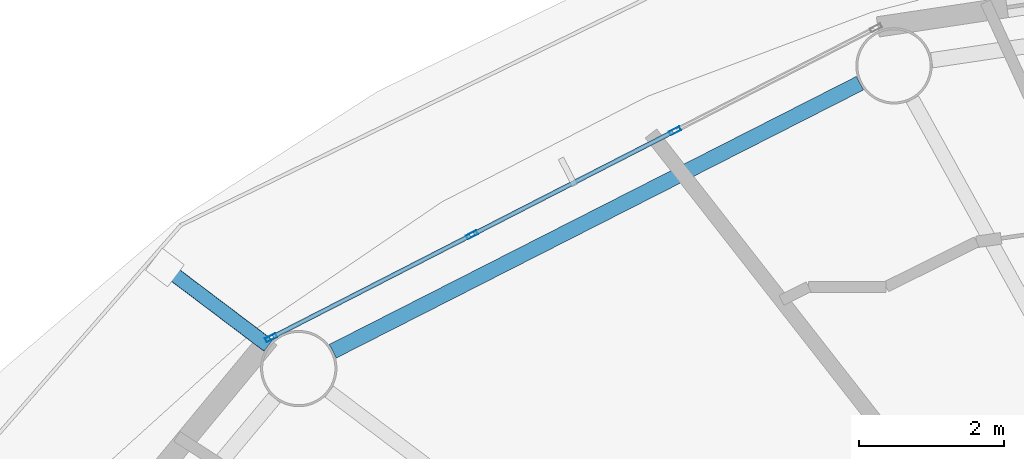
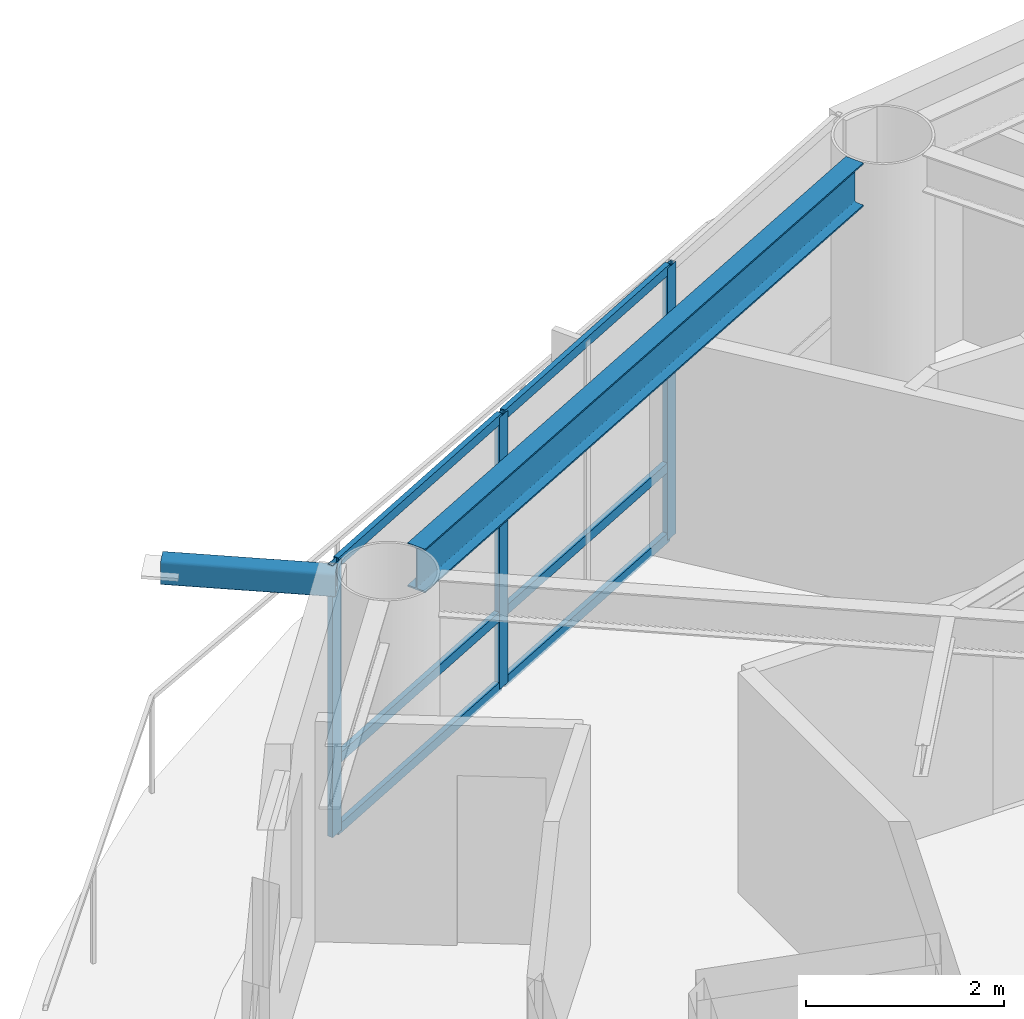
# One storey, part 8 of 23: 10 members, 1 beam, 1 element without a shape of its own.
"""IFC4 building model written with IfcOpenShell, lengths in metres."""

from ifc_helpers import new_model, si_unit, direction, frame, origin, origin_2d, place, context, subcontext, project, spatial, hollow_rectangle, i_section, extrude, material, layer, layer_set, material_profile, profile_set, type_object, element, aggregate, save


model = new_model("IFC4")

# Units and contexts
model_context = context("Model", 3, precision=1e-05, world=origin(), true_north=direction((0.0, 1.0)))
body_context = subcontext(model_context, "Body", "Model", "MODEL_VIEW")
ifc_project = project(units=[si_unit("LENGTHUNIT", "METRE"), si_unit("AREAUNIT", "SQUARE_METRE"), si_unit("VOLUMEUNIT", "CUBIC_METRE"), si_unit("PLANEANGLEUNIT", "RADIAN"), si_unit("MASSUNIT", "GRAM", prefix="KILO")], contexts=[model_context])

# Site, building, storey
site_placement = place(None, origin())
site = spatial("IfcSite", under=ifc_project, at=site_placement, CompositionType="ELEMENT")
building_placement = place(site_placement, origin())
building = spatial("IfcBuilding", under=site, at=building_placement, Name="Sarneth Arch Tower", CompositionType="ELEMENT")
storey_placement = place(building_placement, frame((0.0, 0.0, 242.39990234375)))
storey = spatial("IfcBuildingStorey", under=building, at=storey_placement, Name="L62", CompositionType="ELEMENT", Elevation=242.39990234375)

# Beam
ifc_material_1 = material(Name="Steel S355", Category="steel")
ifc_material_profile_1 = material_profile(ifc_material_1, i_section(OverallWidth=0.2109375, OverallDepth=0.5390625, WebThickness=0.01171875, FlangeThickness=0.018798828125, FilletRadius=0.01806640625, at=origin_2d()), Name="W530x109")
ifc_profile_set_1 = profile_set([ifc_material_profile_1], Name="Steel S355")
beam_type = type_object("IfcBeamType", Name="BM-RAD-530B", PredefinedType="BEAM", material=ifc_profile_set_1)
beam_placement = place(storey_placement, frame((37.7412109375, 59.50048828125, 3.090576171875), z_axis=(-0.891368271482, -0.453279830342, 0.0), x_axis=(0.453279830342, -0.891368271482, 0.0)))
element("IfcBeam", 1, at=beam_placement, inside=storey, type_object=beam_type, Name="L62 Perimeter spandrel beam 06", PredefinedType="BEAM", context=body_context, shape_type="SweptSolid", body=[
    extrude(i_section(OverallWidth=0.2109375, OverallDepth=0.5390625, WebThickness=0.01171875, FlangeThickness=0.018798828125, FilletRadius=0.01806640625, at=origin_2d()), origin(), (0.0, 0.0, 1.0), 8.1318359375),
])

# Curtain wall, members
ifc_material_2 = material(Name="Anodised aluminium Type AA25 and solar-control low-e laminated IGU", Category="aluminium")
ifc_layer = layer(ifc_material_2, 0.179931640625)
ifc_layer_set = layer_set([ifc_layer], Name="Anodised aluminium Type AA25 and solar-control low-e laminated IGU")
curtain_wall_type = type_object("IfcCurtainWallType", Name="CW-RES-HIGH", PredefinedType="NOTDEFINED", material=ifc_layer_set)
curtain_wall_placement = place(storey_placement, origin())
curtain_wall = element("IfcCurtainWall", 2, at=curtain_wall_placement, inside=storey, type_object=curtain_wall_type, Name="L62 Unitised curtain wall facet 06", PredefinedType="NOTDEFINED")
ifc_material_3 = material(Name="Anodised Aluminium 6063-T6", Category="aluminium")
ifc_material_profile_2 = material_profile(ifc_material_3, hollow_rectangle(XDim=0.06005859375, YDim=0.159912109375, WallThickness=0.00390625, at=origin_2d()), Name="AL-MULL-160x60x4")
ifc_profile_set_2 = profile_set([ifc_material_profile_2], Name="Anodised Aluminium 6063-T6")
member_type_1 = type_object("IfcMemberType", Name="CW-MULLION", PredefinedType="MULLION", material=ifc_profile_set_2)
member_1_placement = place(storey_placement, frame((35.197509765625, 58.844970703125, 0.0), z_axis=(0.0, 0.0, 1.0), x_axis=(0.455941901753, -0.890009540525, 0.0)))
member_1 = element("IfcMember", 3, at=member_1_placement, type_object=member_type_1, Name="CW-SYS-6 mullion 2", PredefinedType="MULLION", context=body_context, shape_type="SweptSolid", body=[
    extrude(hollow_rectangle(XDim=0.06005859375, YDim=0.159912109375, WallThickness=0.00390625, at=origin_2d()), origin(), (0.0, 0.0, 1.0), 3.360107421875),
])
member_2_placement = place(storey_placement, frame((32.407470703125, 57.415771484375, 0.0), z_axis=(0.0, 0.0, 1.0), x_axis=(0.455941901753, -0.890009540525, 0.0)))
member_2 = element("IfcMember", 4, at=member_2_placement, type_object=member_type_1, Name="CW-SYS-6 mullion 3", PredefinedType="MULLION", context=body_context, shape_type="SweptSolid", body=[
    extrude(hollow_rectangle(XDim=0.06005859375, YDim=0.159912109375, WallThickness=0.00390625, at=origin_2d()), origin(), (0.0, 0.0, 1.0), 3.360107421875),
])
member_3_placement = place(storey_placement, frame((29.644287109375, 56.000244140625, 0.0), z_axis=(0.0, 0.0, 1.0), x_axis=(0.455941901753, -0.890009540525, 0.0)))
member_3 = element("IfcMember", 5, at=member_3_placement, type_object=member_type_1, Name="CW-SYS-6 mullion 4", PredefinedType="MULLION", context=body_context, shape_type="SweptSolid", body=[
    extrude(hollow_rectangle(XDim=0.06005859375, YDim=0.159912109375, WallThickness=0.00390625, at=origin_2d()), origin(), (0.0, 0.0, 1.0), 3.360107421875),
])
ifc_material_4 = material(Name="Anodised Aluminium 6063-T6", Category="aluminium")
ifc_material_profile_3 = material_profile(ifc_material_4, hollow_rectangle(XDim=0.06005859375, YDim=0.1201171875, WallThickness=0.00390625, at=origin_2d()), Name="AL-TRAN-120x60x4")
ifc_profile_set_3 = profile_set([ifc_material_profile_3], Name="Anodised Aluminium 6063-T6")
member_type_2 = type_object("IfcMemberType", Name="CW-TRANSOM", PredefinedType="USERDEFINED", material=ifc_profile_set_3)
member_4_placement = place(storey_placement, frame((35.170654296875, 58.831298828125, 0.030029296875), z_axis=(-0.890017432405, -0.455926496286, 0.0), x_axis=(0.455926496286, -0.890017432405, 0.0)))
member_4 = element("IfcMember", 6, at=member_4_placement, type_object=member_type_2, Name="CW-SYS-6 transom 2.1", ObjectType="TRANSOM", PredefinedType="USERDEFINED", context=body_context, shape_type="SweptSolid", body=[
    extrude(hollow_rectangle(XDim=0.06005859375, YDim=0.1201171875, WallThickness=0.00390625, at=origin_2d()), origin(), (0.0, 0.0, 1.0), 3.07470703125),
])
member_5_placement = place(storey_placement, frame((35.170654296875, 58.831298828125, 0.900146484375), z_axis=(-0.890017432405, -0.455926496286, 0.0), x_axis=(0.455926496286, -0.890017432405, 0.0)))
member_5 = element("IfcMember", 7, at=member_5_placement, type_object=member_type_2, Name="CW-SYS-6 transom 2.2", ObjectType="TRANSOM", PredefinedType="USERDEFINED", context=body_context, shape_type="SweptSolid", body=[
    extrude(hollow_rectangle(XDim=0.06005859375, YDim=0.1201171875, WallThickness=0.00390625, at=origin_2d()), origin(), (0.0, 0.0, 1.0), 3.07470703125),
])
member_6_placement = place(storey_placement, frame((35.170654296875, 58.831298828125, 3.330078125), z_axis=(-0.890017432405, -0.455926496286, 0.0), x_axis=(0.455926496286, -0.890017432405, 0.0)))
member_6 = element("IfcMember", 8, at=member_6_placement, type_object=member_type_2, Name="CW-SYS-6 transom 2.3", ObjectType="TRANSOM", PredefinedType="USERDEFINED", context=body_context, shape_type="SweptSolid", body=[
    extrude(hollow_rectangle(XDim=0.06005859375, YDim=0.1201171875, WallThickness=0.00390625, at=origin_2d()), origin(), (0.0, 0.0, 1.0), 3.07470703125),
])
member_7_placement = place(storey_placement, frame((32.380859375, 57.402099609375, 0.030029296875), z_axis=(-0.890022732705, -0.455916149384, 0.0), x_axis=(0.455916149384, -0.890022732705, 0.0)))
member_7 = element("IfcMember", 9, at=member_7_placement, type_object=member_type_2, Name="CW-SYS-6 transom 3.1", ObjectType="TRANSOM", PredefinedType="USERDEFINED", context=body_context, shape_type="SweptSolid", body=[
    extrude(hollow_rectangle(XDim=0.06005859375, YDim=0.1201171875, WallThickness=0.00390625, at=origin_2d()), origin(), (0.0, 0.0, 1.0), 3.044921875),
])
member_8_placement = place(storey_placement, frame((32.380859375, 57.402099609375, 0.900146484375), z_axis=(-0.890022732705, -0.455916149384, 0.0), x_axis=(0.455916149384, -0.890022732705, 0.0)))
member_8 = element("IfcMember", 10, at=member_8_placement, type_object=member_type_2, Name="CW-SYS-6 transom 3.2", ObjectType="TRANSOM", PredefinedType="USERDEFINED", context=body_context, shape_type="SweptSolid", body=[
    extrude(hollow_rectangle(XDim=0.06005859375, YDim=0.1201171875, WallThickness=0.00390625, at=origin_2d()), origin(), (0.0, 0.0, 1.0), 3.044921875),
])
member_9_placement = place(storey_placement, frame((32.380859375, 57.402099609375, 3.330078125), z_axis=(-0.890022732705, -0.455916149384, 0.0), x_axis=(0.455916149384, -0.890022732705, 0.0)))
member_9 = element("IfcMember", 11, at=member_9_placement, type_object=member_type_2, Name="CW-SYS-6 transom 3.3", ObjectType="TRANSOM", PredefinedType="USERDEFINED", context=body_context, shape_type="SweptSolid", body=[
    extrude(hollow_rectangle(XDim=0.06005859375, YDim=0.1201171875, WallThickness=0.00390625, at=origin_2d()), origin(), (0.0, 0.0, 1.0), 3.044921875),
])
aggregate(curtain_wall, [member_1, member_2, member_3, member_4, member_5, member_6, member_7, member_8, member_9])

# Member
ifc_material_5 = material(Name="Steel S355", Category="steel")
ifc_material_profile_4 = material_profile(ifc_material_5, hollow_rectangle(XDim=0.199951171875, YDim=0.300048828125, WallThickness=0.012451171875, InnerFilletRadius=0.018798828125, OuterFilletRadius=0.03125, at=origin_2d()), Name="RHS300x200x12.5")
ifc_profile_set_4 = profile_set([ifc_material_profile_4], Name="Steel S355")
member_type_3 = type_object("IfcMemberType", Name="MEM-CANT-STRUT", PredefinedType="STRUT", material=ifc_profile_set_4)
member_10_placement = place(storey_placement, frame((29.60595703125, 55.892822265625, 3.2001953125), z_axis=(-0.79800504026, 0.602650774263, 0.0), x_axis=(-0.602650774263, -0.79800504026, 0.0)))
element("IfcMember", 12, at=member_10_placement, inside=storey, type_object=member_type_3, Name="L62 Balcony cantilever bracket 07", PredefinedType="STRUT", context=body_context, shape_type="SweptSolid", body=[
    extrude(hollow_rectangle(XDim=0.199951171875, YDim=0.300048828125, WallThickness=0.012451171875, InnerFilletRadius=0.018798828125, OuterFilletRadius=0.03125, at=origin_2d()), origin(), (0.0, 0.0, 1.0), 1.78076171875),
])

save(model, "model.ifc")
